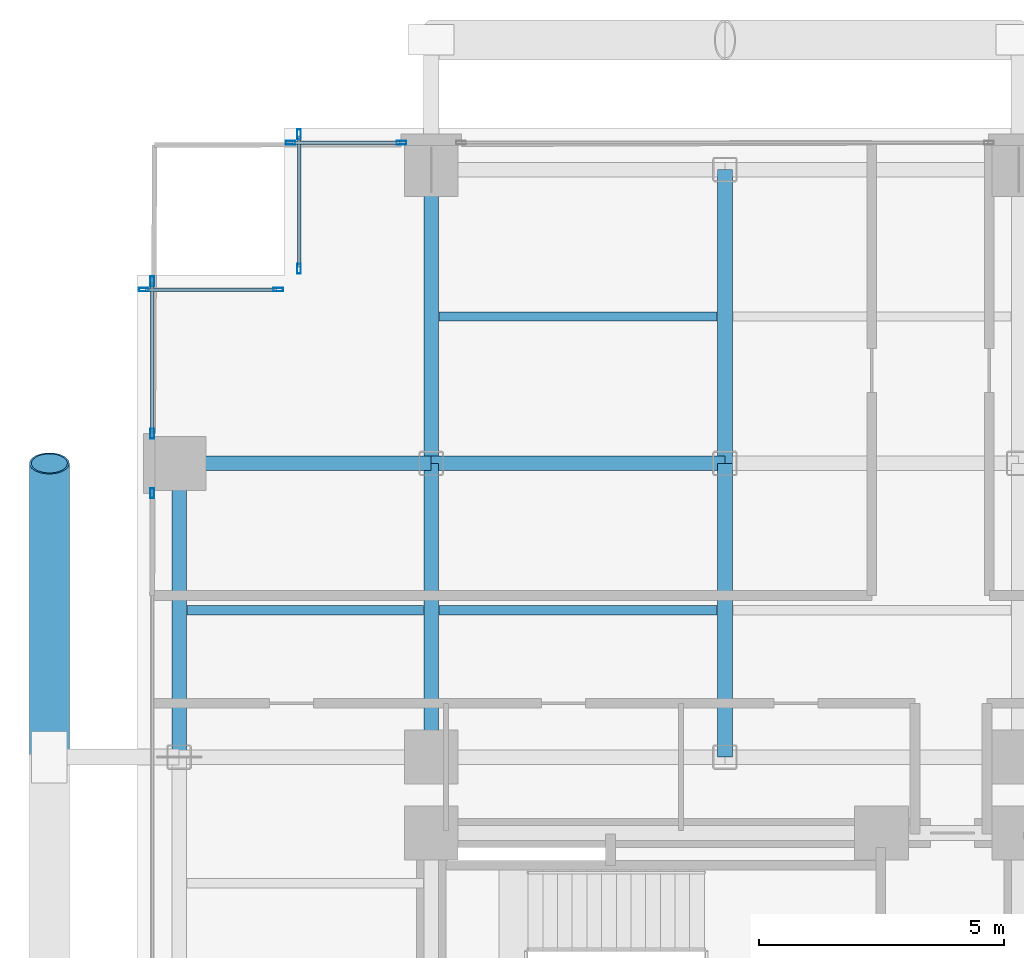
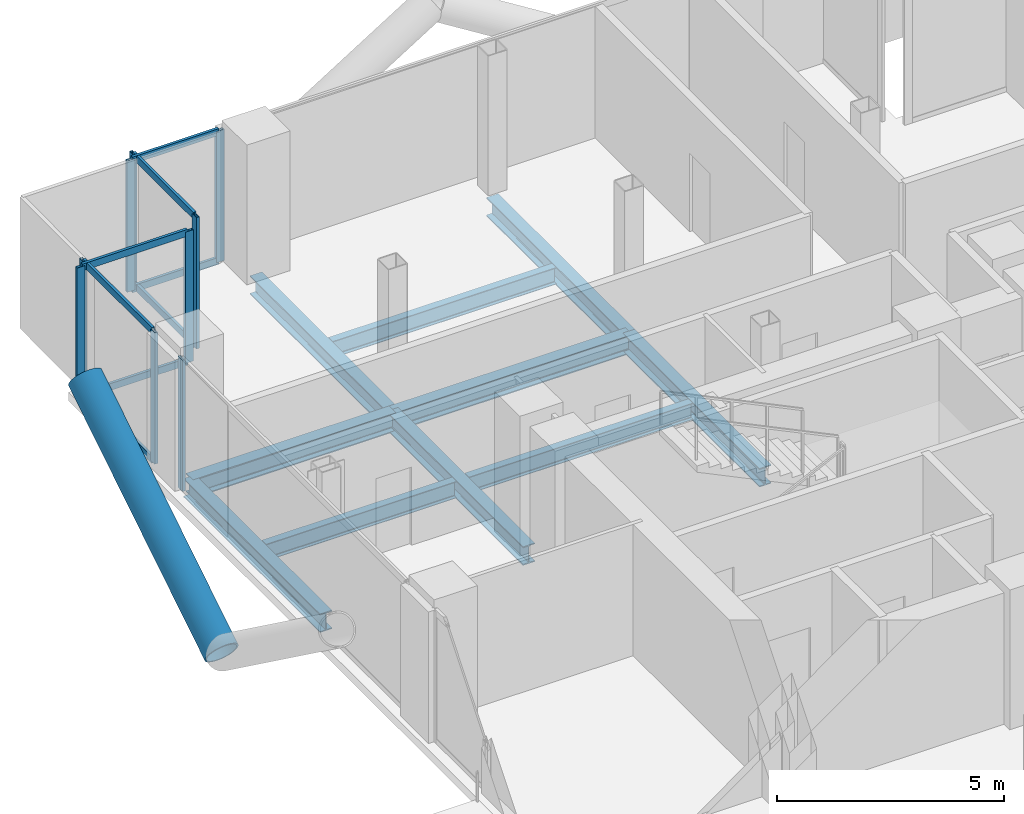
# One storey, part 14 of 24: 18 members, 10 beams, 5 elements without a shape of their own.
"""IFC4 building model written with IfcOpenShell, lengths in metres."""

from ifc_helpers import new_model, si_unit, direction, frame, origin, origin_2d, place, context, subcontext, project, spatial, hollow_rectangle, hollow_circle, i_section, extrude, material, layer, layer_set, material_profile, profile_set, type_object, element, aggregate, save


model = new_model("IFC4")

# Units and contexts
model_context = context("Model", 3, precision=1e-05, world=origin(), true_north=direction((0.0, 1.0)))
body_context = subcontext(model_context, "Body", "Model", "MODEL_VIEW")
ifc_project = project(units=[si_unit("LENGTHUNIT", "METRE"), si_unit("AREAUNIT", "SQUARE_METRE"), si_unit("VOLUMEUNIT", "CUBIC_METRE"), si_unit("PLANEANGLEUNIT", "RADIAN"), si_unit("MASSUNIT", "GRAM", prefix="KILO"), si_unit("THERMODYNAMICTEMPERATUREUNIT", "KELVIN"), si_unit("POWERUNIT", "WATT")], contexts=[model_context])

# Site, building, storey
site_placement = place(None, origin())
site = spatial("IfcSite", under=ifc_project, at=site_placement, CompositionType="ELEMENT")
building_placement = place(site_placement, origin())
building = spatial("IfcBuilding", under=site, at=building_placement, Name="Svarakhadi Broadcast Tower", CompositionType="ELEMENT")
storey_placement = place(building_placement, frame((0.0, 0.0, 141.89990234375)))
storey = spatial("IfcBuildingStorey", under=building, at=storey_placement, Name="L34", CompositionType="ELEMENT", Elevation=141.89990234375)

# Beams
ifc_material_1 = material(Name="Steel S355J2 (IS 2062 E350C)", Category="steel")
ifc_material_profile_1 = material_profile(ifc_material_1, i_section(OverallWidth=0.18994140625, OverallDepth=0.449951171875, WebThickness=0.009521484375, FlangeThickness=0.0146484375, FilletRadius=0.02099609375, at=origin_2d()), Name="NPB 450x190x78")
ifc_profile_set_1 = profile_set([ifc_material_profile_1], Name="Steel S355J2 (IS 2062 E350C)")
beam_type_1 = type_object("IfcBeamType", Name="Beam_NPB450", PredefinedType="BEAM", material=ifc_profile_set_1)
beam_1_placement = place(storey_placement, frame((1.010009765625, 32.14990234375, -0.449951171875), z_axis=(1.0, 0.0, 0.0), x_axis=(0.0, 1.0, 0.0)))
element("IfcBeam", 1, at=beam_1_placement, inside=storey, type_object=beam_type_1, Name="L34 Secondary Composite Beam SB005", PredefinedType="BEAM", context=body_context, shape_type="SweptSolid", body=[
    extrude(i_section(OverallWidth=0.18994140625, OverallDepth=0.449951171875, WebThickness=0.009521484375, FlangeThickness=0.0146484375, FilletRadius=0.02099609375, at=origin_2d()), origin(), (0.0, 0.0, 1.0), 4.830078125),
])
for number, where, z_axis, x_axis, name in (
    (2, (6.159912109375, 32.14990234375, -0.449951171875), (1.0, 0.0, 0.0), (0.0, 1.0, 0.0), "L34 Secondary Composite Beam SB009"),
    (3, (6.159912109375, 38.14990234375, -0.449951171875), (1.0, 0.0, 0.0), (0.0, 1.0, 0.0), "L34 Secondary Composite Beam SB010"),
):
    element("IfcBeam", number, at=place(storey_placement, frame(where, z_axis=z_axis, x_axis=x_axis)), inside=storey, type_object=beam_type_1, Name=name, PredefinedType="BEAM", context=body_context, shape_type="SweptSolid", body=[
        extrude(i_section(OverallWidth=0.18994140625, OverallDepth=0.449951171875, WebThickness=0.009521484375, FlangeThickness=0.0146484375, FilletRadius=0.02099609375, at=origin_2d()), origin(), (0.0, 0.0, 1.0), 5.68017578125),
    ])

# Curtain wall, member
ifc_material_2 = material(Name="Anodised Bronze Aluminium AA 6063-T6", Category="aluminium")
ifc_layer = layer(ifc_material_2, 0.199951171875)
ifc_layer_set = layer_set([ifc_layer], Name="Anodised Bronze Aluminium AA 6063-T6")
curtain_wall_type = type_object("IfcCurtainWallType", Name="CW_Sys_03", PredefinedType="NOTDEFINED", material=ifc_layer_set)
curtain_wall_1_placement = place(storey_placement, origin())
curtain_wall_1 = element("IfcCurtainWall", 4, at=curtain_wall_1_placement, inside=storey, type_object=curtain_wall_type, Name="L34 West Curtain Wall 03 Bay 2", PredefinedType="NOTDEFINED")
ifc_material_profile_2 = material_profile(ifc_material_2, hollow_rectangle(XDim=0.074951171875, YDim=0.199951171875, WallThickness=0.005615234375, at=origin_2d()), Name="ALU MULLION 200x75x6")
ifc_profile_set_2 = profile_set([ifc_material_profile_2], Name="Anodised Bronze Aluminium AA 6063-T6")
member_type_1 = type_object("IfcMemberType", Name="CW_Sys_03_Mul", PredefinedType="MULLION", material=ifc_profile_set_2)
member_1_placement = place(storey_placement, frame((0.300048828125, 34.54248046875, 0.0), z_axis=(0.0, 0.0, 1.0), x_axis=(-1.0, 0.0, 0.0)))
member_1 = element("IfcMember", 5, at=member_1_placement, type_object=member_type_1, Name="CW-03 mullion 2", PredefinedType="MULLION", context=body_context, shape_type="SweptSolid", body=[
    extrude(hollow_rectangle(XDim=0.074951171875, YDim=0.199951171875, WallThickness=0.005615234375, at=origin_2d()), origin(), (0.0, 0.0, 1.0), 3.525146484375),
])
aggregate(curtain_wall_1, [member_1])

# Curtain wall, members
curtain_wall_2_placement = place(storey_placement, origin())
curtain_wall_2 = element("IfcCurtainWall", 6, at=curtain_wall_2_placement, inside=storey, type_object=curtain_wall_type, Name="L34 West Curtain Wall 03 Bay 3", PredefinedType="NOTDEFINED")
member_2_placement = place(storey_placement, frame((0.300048828125, 35.757568359375, 0.0), z_axis=(0.0, 0.0, 1.0), x_axis=(-1.0, 0.0, 0.0)))
member_2 = element("IfcMember", 7, at=member_2_placement, type_object=member_type_1, Name="CW-03 mullion 1", PredefinedType="MULLION", context=body_context, shape_type="SweptSolid", body=[
    extrude(hollow_rectangle(XDim=0.074951171875, YDim=0.199951171875, WallThickness=0.005615234375, at=origin_2d()), origin(), (0.0, 0.0, 1.0), 3.525146484375),
])
member_3_placement = place(storey_placement, frame((0.300048828125, 38.87255859375, 0.0), z_axis=(0.0, 0.0, 1.0), x_axis=(-1.0, 0.0, 0.0)))
member_3 = element("IfcMember", 8, at=member_3_placement, type_object=member_type_1, Name="CW-03 mullion 2", PredefinedType="MULLION", context=body_context, shape_type="SweptSolid", body=[
    extrude(hollow_rectangle(XDim=0.074951171875, YDim=0.199951171875, WallThickness=0.005615234375, at=origin_2d()), origin(), (0.0, 0.0, 1.0), 3.525146484375),
])

curtain_wall_3_placement = place(storey_placement, origin())
curtain_wall_3 = element("IfcCurtainWall", 9, at=curtain_wall_3_placement, inside=storey, type_object=curtain_wall_type, Name="L34 Unitised Facade Curtain Wall 04", PredefinedType="NOTDEFINED")
member_4_placement = place(storey_placement, frame((0.12744140625, 38.699951171875, 0.0), z_axis=(0.0, 0.0, 1.0), x_axis=(0.0, 1.0, 0.0)))
member_4 = element("IfcMember", 10, at=member_4_placement, type_object=member_type_1, Name="CW-03 mullion 1", PredefinedType="MULLION", context=body_context, shape_type="SweptSolid", body=[
    extrude(hollow_rectangle(XDim=0.074951171875, YDim=0.199951171875, WallThickness=0.005615234375, at=origin_2d()), origin(), (0.0, 0.0, 1.0), 3.525146484375),
])
member_5_placement = place(storey_placement, frame((2.87255859375, 38.699951171875, 0.0), z_axis=(0.0, 0.0, 1.0), x_axis=(0.0, 1.0, 0.0)))
member_5 = element("IfcMember", 11, at=member_5_placement, type_object=member_type_1, Name="CW-03 mullion 2", PredefinedType="MULLION", context=body_context, shape_type="SweptSolid", body=[
    extrude(hollow_rectangle(XDim=0.074951171875, YDim=0.199951171875, WallThickness=0.005615234375, at=origin_2d()), origin(), (0.0, 0.0, 1.0), 3.525146484375),
])

curtain_wall_4_placement = place(storey_placement, origin())
curtain_wall_4 = element("IfcCurtainWall", 12, at=curtain_wall_4_placement, inside=storey, type_object=curtain_wall_type, Name="L34 Unitised Facade Curtain Wall 05", PredefinedType="NOTDEFINED")
member_6_placement = place(storey_placement, frame((3.300048828125, 39.12744140625, 0.0), z_axis=(0.0, 0.0, 1.0), x_axis=(-1.0, 0.0, 0.0)))
member_6 = element("IfcMember", 13, at=member_6_placement, type_object=member_type_1, Name="CW-03 mullion 1", PredefinedType="MULLION", context=body_context, shape_type="SweptSolid", body=[
    extrude(hollow_rectangle(XDim=0.074951171875, YDim=0.199951171875, WallThickness=0.005615234375, at=origin_2d()), origin(), (0.0, 0.0, 1.0), 3.525146484375),
])
member_7_placement = place(storey_placement, frame((3.300048828125, 41.87255859375, 0.0), z_axis=(0.0, 0.0, 1.0), x_axis=(-1.0, 0.0, 0.0)))
member_7 = element("IfcMember", 14, at=member_7_placement, type_object=member_type_1, Name="CW-03 mullion 2", PredefinedType="MULLION", context=body_context, shape_type="SweptSolid", body=[
    extrude(hollow_rectangle(XDim=0.074951171875, YDim=0.199951171875, WallThickness=0.005615234375, at=origin_2d()), origin(), (0.0, 0.0, 1.0), 3.525146484375),
])

curtain_wall_5_placement = place(storey_placement, origin())
curtain_wall_5 = element("IfcCurtainWall", 15, at=curtain_wall_5_placement, inside=storey, type_object=curtain_wall_type, Name="L34 Unitised Facade Curtain Wall 06 Bay 1", PredefinedType="NOTDEFINED")
member_8_placement = place(storey_placement, frame((3.12744140625, 41.699951171875, 0.0), z_axis=(0.0, 0.0, 1.0), x_axis=(0.0, 1.0, 0.0)))
member_8 = element("IfcMember", 16, at=member_8_placement, type_object=member_type_1, Name="CW-03 mullion 1", PredefinedType="MULLION", context=body_context, shape_type="SweptSolid", body=[
    extrude(hollow_rectangle(XDim=0.074951171875, YDim=0.199951171875, WallThickness=0.005615234375, at=origin_2d()), origin(), (0.0, 0.0, 1.0), 3.525146484375),
])
member_9_placement = place(storey_placement, frame((5.392578125, 41.699951171875, 0.0), z_axis=(0.0, 0.0, 1.0), x_axis=(0.0, 1.0, 0.0)))
member_9 = element("IfcMember", 17, at=member_9_placement, type_object=member_type_1, Name="CW-03 mullion 2", PredefinedType="MULLION", context=body_context, shape_type="SweptSolid", body=[
    extrude(hollow_rectangle(XDim=0.074951171875, YDim=0.199951171875, WallThickness=0.005615234375, at=origin_2d()), origin(), (0.0, 0.0, 1.0), 3.525146484375),
])

# Member
ifc_material_profile_3 = material_profile(ifc_material_2, hollow_rectangle(XDim=0.070068359375, YDim=0.18505859375, WallThickness=0.0048828125, at=origin_2d()), Name="ALU TRANSOM 185x70x5")
ifc_profile_set_3 = profile_set([ifc_material_profile_3], Name="Anodised Bronze Aluminium AA 6063-T6")
member_type_2 = type_object("IfcMemberType", Name="CW_Sys_03_Trn", PredefinedType="USERDEFINED", material=ifc_profile_set_3)
member_10_placement = place(storey_placement, frame((0.300048828125, 35.794921875, 0.03515625), z_axis=(0.0, 1.0, 0.0), x_axis=(-1.0, 0.0, 0.0)))
member_10 = element("IfcMember", 18, at=member_10_placement, type_object=member_type_2, Name="CW-03 transom 1.1", ObjectType="TRANSOM", PredefinedType="USERDEFINED", context=body_context, shape_type="SweptSolid", body=[
    extrude(hollow_rectangle(XDim=0.070068359375, YDim=0.18505859375, WallThickness=0.0048828125, at=origin_2d()), origin(), (0.0, 0.0, 1.0), 3.0400390625),
])

member_11_placement = place(storey_placement, frame((0.300048828125, 35.794921875, 3.489990234375), z_axis=(0.0, 1.0, 0.0), x_axis=(-1.0, 0.0, 0.0)))
member_11 = element("IfcMember", 19, at=member_11_placement, type_object=member_type_2, Name="CW-03 transom 1.2", ObjectType="TRANSOM", PredefinedType="USERDEFINED", context=body_context, shape_type="SweptSolid", body=[
    extrude(hollow_rectangle(XDim=0.070068359375, YDim=0.18505859375, WallThickness=0.0048828125, at=origin_2d()), origin(), (0.0, 0.0, 1.0), 3.0400390625),
])

aggregate(curtain_wall_2, [member_2, member_3, member_10, member_11])

member_12_placement = place(storey_placement, frame((0.1650390625, 38.699951171875, 0.03515625), z_axis=(1.0, 0.0, 0.0), x_axis=(0.0, 1.0, 0.0)))
member_12 = element("IfcMember", 20, at=member_12_placement, type_object=member_type_2, Name="CW-03 transom 1.1", ObjectType="TRANSOM", PredefinedType="USERDEFINED", context=body_context, shape_type="SweptSolid", body=[
    extrude(hollow_rectangle(XDim=0.070068359375, YDim=0.18505859375, WallThickness=0.0048828125, at=origin_2d()), origin(), (0.0, 0.0, 1.0), 2.669921875),
])

member_13_placement = place(storey_placement, frame((0.1650390625, 38.699951171875, 3.489990234375), z_axis=(1.0, 0.0, 0.0), x_axis=(0.0, 1.0, 0.0)))
member_13 = element("IfcMember", 21, at=member_13_placement, type_object=member_type_2, Name="CW-03 transom 1.2", ObjectType="TRANSOM", PredefinedType="USERDEFINED", context=body_context, shape_type="SweptSolid", body=[
    extrude(hollow_rectangle(XDim=0.070068359375, YDim=0.18505859375, WallThickness=0.0048828125, at=origin_2d()), origin(), (0.0, 0.0, 1.0), 2.669921875),
])

aggregate(curtain_wall_3, [member_4, member_5, member_12, member_13])

member_14_placement = place(storey_placement, frame((3.300048828125, 39.1650390625, 0.03515625), z_axis=(0.0, 1.0, 0.0), x_axis=(-1.0, 0.0, 0.0)))
member_14 = element("IfcMember", 22, at=member_14_placement, type_object=member_type_2, Name="CW-03 transom 1.1", ObjectType="TRANSOM", PredefinedType="USERDEFINED", context=body_context, shape_type="SweptSolid", body=[
    extrude(hollow_rectangle(XDim=0.070068359375, YDim=0.18505859375, WallThickness=0.0048828125, at=origin_2d()), origin(), (0.0, 0.0, 1.0), 2.669921875),
])

member_15_placement = place(storey_placement, frame((3.300048828125, 39.1650390625, 3.489990234375), z_axis=(0.0, 1.0, 0.0), x_axis=(-1.0, 0.0, 0.0)))
member_15 = element("IfcMember", 23, at=member_15_placement, type_object=member_type_2, Name="CW-03 transom 1.2", ObjectType="TRANSOM", PredefinedType="USERDEFINED", context=body_context, shape_type="SweptSolid", body=[
    extrude(hollow_rectangle(XDim=0.070068359375, YDim=0.18505859375, WallThickness=0.0048828125, at=origin_2d()), origin(), (0.0, 0.0, 1.0), 2.669921875),
])

aggregate(curtain_wall_4, [member_6, member_7, member_14, member_15])

member_16_placement = place(storey_placement, frame((3.1650390625, 41.699951171875, 0.03515625), z_axis=(1.0, 0.0, 0.0), x_axis=(0.0, 1.0, 0.0)))
member_16 = element("IfcMember", 24, at=member_16_placement, type_object=member_type_2, Name="CW-03 transom 1.1", ObjectType="TRANSOM", PredefinedType="USERDEFINED", context=body_context, shape_type="SweptSolid", body=[
    extrude(hollow_rectangle(XDim=0.070068359375, YDim=0.18505859375, WallThickness=0.0048828125, at=origin_2d()), origin(), (0.0, 0.0, 1.0), 2.18994140625),
])

member_17_placement = place(storey_placement, frame((3.1650390625, 41.699951171875, 3.489990234375), z_axis=(1.0, 0.0, 0.0), x_axis=(0.0, 1.0, 0.0)))
member_17 = element("IfcMember", 25, at=member_17_placement, type_object=member_type_2, Name="CW-03 transom 1.2", ObjectType="TRANSOM", PredefinedType="USERDEFINED", context=body_context, shape_type="SweptSolid", body=[
    extrude(hollow_rectangle(XDim=0.070068359375, YDim=0.18505859375, WallThickness=0.0048828125, at=origin_2d()), origin(), (0.0, 0.0, 1.0), 2.18994140625),
])

aggregate(curtain_wall_5, [member_8, member_9, member_16, member_17])

ifc_material_3 = material(Name="Steel S460ML (IS 2062 E450BR)", Category="steel")
ifc_material_profile_4 = material_profile(ifc_material_3, hollow_circle(Radius=0.406494140625, WallThickness=0.0400390625, at=origin_2d()), Name="CHS 813x40")
ifc_profile_set_4 = profile_set([ifc_material_profile_4], Name="Steel S460ML (IS 2062 E450BR)")
member_type_3 = type_object("IfcMemberType", Name="Exo_Brace_CHS813", PredefinedType="BRACE", material=ifc_profile_set_4)
member_18_placement = place(storey_placement, frame((-1.800048828125, 29.14990234375, -0.386962890625), z_axis=(0.0, 0.847998304005, 0.529998940003), x_axis=(-1.0, 0.0, 0.0)))
element("IfcMember", 26, at=member_18_placement, inside=storey, type_object=member_type_3, Name="L34 Exposed Bronze Exoskeleton Diagonal W05", PredefinedType="BRACE", context=body_context, shape_type="SweptSolid", body=[
    extrude(hollow_circle(Radius=0.406494140625, WallThickness=0.0400390625, at=origin_2d()), origin(), (0.0, 0.0, 1.0), 7.075439453125),
])

# Beams
ifc_material_profile_5 = material_profile(ifc_material_1, i_section(OverallWidth=0.300048828125, OverallDepth=0.5, WebThickness=0.014404296875, FlangeThickness=0.028076171875, FilletRadius=0.027099609375, at=origin_2d()), Name="WPB 500x300x187")
ifc_profile_set_5 = profile_set([ifc_material_profile_5], Name="Steel S355J2 (IS 2062 E350C)")
beam_type_2 = type_object("IfcBeamType", Name="Girder_WPB500", PredefinedType="USERDEFINED", material=ifc_profile_set_5)
beam_2_placement = place(storey_placement, frame((0.85009765625, 35.14990234375, -0.474853515625), z_axis=(1.0, 0.0, 0.0), x_axis=(0.0, 1.0, 0.0)))
element("IfcBeam", 27, at=beam_2_placement, inside=storey, type_object=beam_type_2, Name="L34 Primary E-W Girder G035", ObjectType="GIRDER", PredefinedType="USERDEFINED", context=body_context, shape_type="SweptSolid", body=[
    extrude(i_section(OverallWidth=0.300048828125, OverallDepth=0.5, WebThickness=0.014404296875, FlangeThickness=0.028076171875, FilletRadius=0.027099609375, at=origin_2d()), origin(), (0.0, 0.0, 1.0), 5.14990234375),
])
for number, where, z_axis, x_axis, name in (
    (28, (6.0, 35.14990234375, -0.474853515625), (1.0, 0.0, 0.0), (0.0, 1.0, 0.0), "L34 Primary E-W Girder G036"),
    (29, (0.85009765625, 29.14990234375, -0.474853515625), (0.0, 1.0, 0.0), (-1.0, 0.0, 0.0), "L34 Primary N-S Girder G044"),
    (30, (6.0, 29.14990234375, -0.474853515625), (0.0, 1.0, 0.0), (-1.0, 0.0, 0.0), "L34 Primary N-S Girder G049"),
    (31, (6.0, 35.14990234375, -0.474853515625), (0.0, 1.0, 0.0), (-1.0, 0.0, 0.0), "L34 Primary N-S Girder G050"),
    (32, (12.0, 29.14990234375, -0.474853515625), (0.0, 1.0, 0.0), (-1.0, 0.0, 0.0), "L34 Primary N-S Girder G054"),
    (33, (12.0, 35.14990234375, -0.474853515625), (0.0, 1.0, 0.0), (-1.0, 0.0, 0.0), "L34 Primary N-S Girder G055"),
):
    element("IfcBeam", number, at=place(storey_placement, frame(where, z_axis=z_axis, x_axis=x_axis)), inside=storey, type_object=beam_type_2, Name=name, ObjectType="GIRDER", PredefinedType="USERDEFINED", context=body_context, shape_type="SweptSolid", body=[
        extrude(i_section(OverallWidth=0.300048828125, OverallDepth=0.5, WebThickness=0.014404296875, FlangeThickness=0.028076171875, FilletRadius=0.027099609375, at=origin_2d()), origin(), (0.0, 0.0, 1.0), 6.0),
    ])

save(model, "model.ifc")
